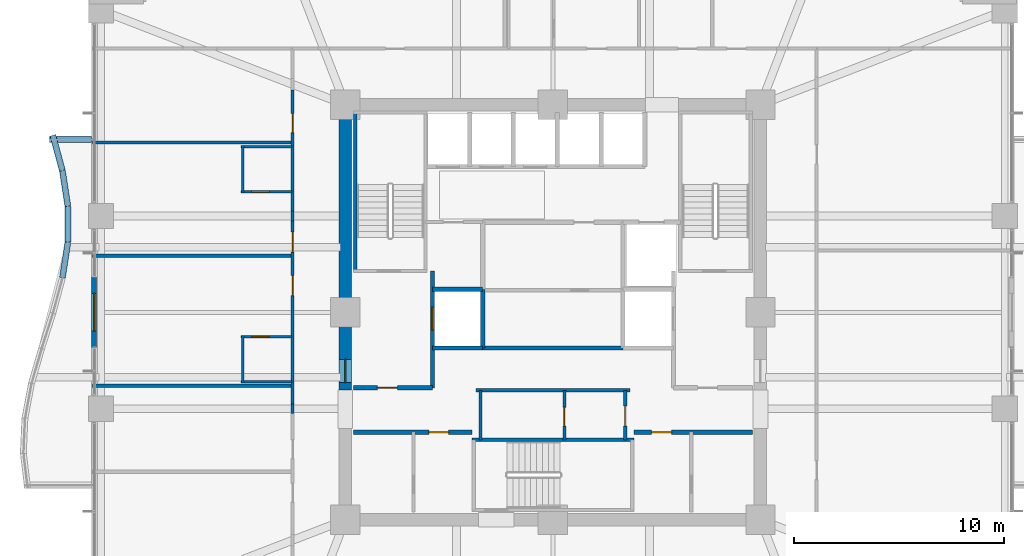
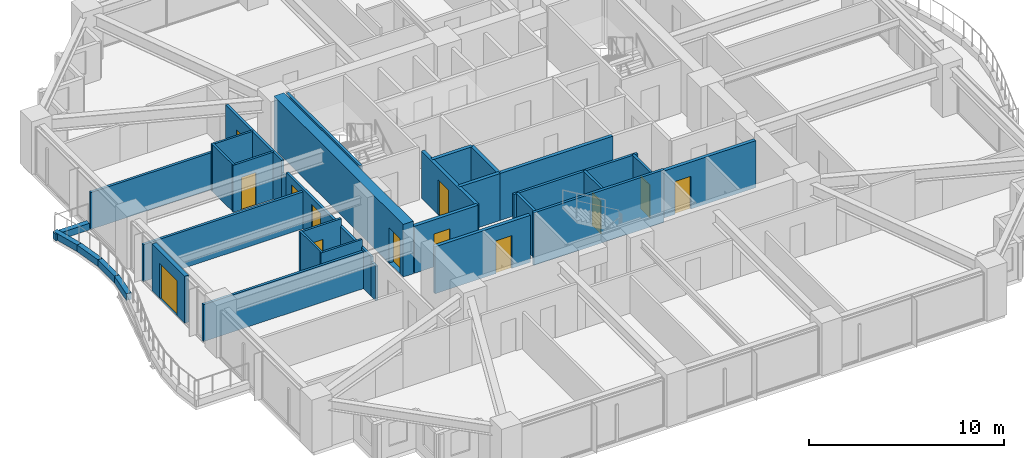
# One storey, part 33 of 38: 34 walls, 13 doors, 13 openings.
"""IFC4 building model written with IfcOpenShell, lengths in metres."""

from ifc_helpers import new_model, si_unit, direction, frame, frame_2d, origin, place, context, subcontext, project, spatial, rectangle, extrude, material, layer, layer_set, type_object, element, fill, save


model = new_model("IFC4")

# Units and contexts
model_context = context("Model", 3, precision=1e-05, world=origin(), true_north=direction((0.0, 1.0)))
body_context = subcontext(model_context, "Body", "Model", "MODEL_VIEW")
ifc_project = project(units=[si_unit("LENGTHUNIT", "METRE"), si_unit("AREAUNIT", "SQUARE_METRE"), si_unit("VOLUMEUNIT", "CUBIC_METRE"), si_unit("PLANEANGLEUNIT", "RADIAN"), si_unit("MASSUNIT", "GRAM", prefix="KILO")], contexts=[model_context])

# Site, building, storey
site_placement = place(None, origin())
site = spatial("IfcSite", under=ifc_project, at=site_placement, CompositionType="ELEMENT")
building_placement = place(site_placement, origin())
building = spatial("IfcBuilding", under=site, at=building_placement, Name="Kolvaren Belvedere", CompositionType="ELEMENT")
storey_placement = place(building_placement, frame((0.0, 0.0, 60.10009765625)))
storey = spatial("IfcBuildingStorey", under=building, at=storey_placement, Name="L17", CompositionType="ELEMENT", Elevation=60.10009765625)

# Wall, opening, door
ifc_material_1 = material(Name="Concrete C60/75", Category="concrete")
ifc_layer_1 = layer(ifc_material_1, 0.60009765625)
ifc_layer_set_1 = layer_set([ifc_layer_1], Name="Concrete C60/75")
wall_type_1 = type_object("IfcWallType", Name="CW-CORE-600", PredefinedType="SHEAR", material=ifc_layer_set_1)
wall_1_placement = place(storey_placement, frame((-9.89990234375, -3.699951171875, 0.0), z_axis=(0.0, 0.0, 1.0), x_axis=(0.0, 1.0, 0.0)))
wall_1 = element("IfcWall", 1, at=wall_1_placement, inside=storey, type_object=wall_type_1, Name="L17 West Core Shear Wall 2", PredefinedType="SHEAR", context=body_context, shape_type="SweptSolid", body=[
    extrude(rectangle(XDim=13.300048828125, YDim=0.60009765625, at=frame_2d((6.64990234375, 0.0))), origin(), (0.0, 0.0, 1.0), 3.2998046875),
])
opening_1_placement = place(wall_1_placement, frame((0.35009765625, 0.0, 0.0)))
opening_1 = element("IfcOpeningElement", 2, at=opening_1_placement, cuts=wall_1, Name="Opening D-FD90", PredefinedType="OPENING", context=body_context, shape_type="SweptSolid", body=[
    extrude(rectangle(XDim=1.10009765625, YDim=2.199951171875, at=frame_2d((0.550048828125, 1.10009765625))), frame((0.0, 0.31005859375, 0.0), z_axis=(0.0, -1.0, 0.0), x_axis=(1.0, 0.0, 0.0)), (0.0, 0.0, 1.0), 0.6201171875),
])
ifc_material_2 = material(Name="Painted hollow stainless steel", Category="steel")
door_type_1 = type_object("IfcDoorType", Name="DR-FD90-1100", OperationType="NOTDEFINED", PredefinedType="DOOR", material=ifc_material_2)
door_1_placement = place(opening_1_placement, origin())
door_1 = element("IfcDoor", 3, at=door_1_placement, inside=storey, type_object=door_type_1, Name="L17 West Firefighting Lobby Fire Door", OperationType="SINGLE_SWING_LEFT", OverallHeight=2.199951171875, OverallWidth=1.10009765625, PredefinedType="DOOR", context=body_context, shape_type="SweptSolid", body=[
    extrude(rectangle(XDim=1.10009765625, YDim=2.199951171875, at=frame_2d((0.550048828125, 1.10009765625))), frame((0.0, 0.02490234375, 0.0), z_axis=(0.0, -1.0, 0.0), x_axis=(1.0, 0.0, 0.0)), (0.0, 0.0, 1.0), 0.050048828125),
])
fill(opening_1, door_1)

# Walls
ifc_material_3 = material(Name="Concrete C50/60", Category="concrete")
ifc_layer_2 = layer(ifc_material_3, 0.159912109375)
ifc_layer_set_2 = layer_set([ifc_layer_2], Name="Concrete C50/60")
wall_type_2 = type_object("IfcWallType", Name="CW-STAIR-160", PredefinedType="SHEAR", material=ifc_layer_set_2)
wall_2_placement = place(storey_placement, frame((-9.429931640625, 1.969970703125, 0.0), z_axis=(0.0, 0.0, 1.0), x_axis=(0.0, 1.0, 0.0)))
element("IfcWall", 4, at=wall_2_placement, inside=storey, type_object=wall_type_2, Name="L17 Stair ST-1 West Shear Wall", PredefinedType="SHEAR", context=body_context, shape_type="SweptSolid", body=[
    extrude(rectangle(XDim=7.56005859375, YDim=0.159912109375, at=frame_2d((3.780029296875, 0.0))), origin(), (0.0, 0.0, 1.0), 3.2998046875),
])
wall_3_placement = place(storey_placement, frame((-3.860107421875, -6.080078125, 0.0), z_axis=(0.0, 0.0, 1.0), x_axis=(1.0, 0.0, 0.0)))
element("IfcWall", 5, at=wall_3_placement, inside=storey, type_object=wall_type_2, Name="L17 Stair ST-3 North Shear Wall", PredefinedType="SHEAR", context=body_context, shape_type="SweptSolid", body=[
    extrude(rectangle(XDim=7.72021484375, YDim=0.159912109375, at=frame_2d((3.860107421875, 0.0))), origin(), (0.0, 0.0, 1.0), 3.2998046875),
])
ifc_material_4 = material(Name="Gypsum fire-rated partition assembly", Category="gypsum")
ifc_layer_3 = layer(ifc_material_4, 0.14990234375)
ifc_layer_set_3 = layer_set([ifc_layer_3], Name="Gypsum fire-rated partition assembly")
wall_type_3 = type_object("IfcWallType", Name="WL-CORR-150", PredefinedType="PARTITIONING", material=ifc_layer_set_3)
wall_4_placement = place(storey_placement, frame((-12.419921875, -4.83251953125, 0.0), z_axis=(0.0, 0.0, 1.0), x_axis=(0.0, 1.0, 0.0)))
element("IfcWall", 6, at=wall_4_placement, inside=storey, type_object=wall_type_3, Name="L17 West Corridor Wall", PredefinedType="PARTITIONING", context=body_context, shape_type="SweptSolid", body=[
    extrude(rectangle(XDim=0.465087890625, YDim=0.14990234375, at=frame_2d((0.232421875, 0.0))), origin(), (0.0, 0.0, 1.0), 2.161865234375),
])

# Wall, openings, doors
wall_5_placement = place(storey_placement, frame((-12.419921875, -4.367431640625, 0.0), z_axis=(0.0, 0.0, 1.0), x_axis=(0.0, 1.0, 0.0)))
wall_5 = element("IfcWall", 7, at=wall_5_placement, inside=storey, type_object=wall_type_3, Name="L17 West Corridor Wall", PredefinedType="PARTITIONING", context=body_context, shape_type="SweptSolid", body=[
    extrude(rectangle(XDim=8.73486328125, YDim=0.14990234375, at=frame_2d((4.367431640625, 0.0))), origin(), (0.0, 0.0, 1.0), 2.474853515625),
])
opening_2_placement = place(wall_5_placement, frame((5.1669921875, 0.0, 0.0)))
opening_2 = element("IfcOpeningElement", 8, at=opening_2_placement, cuts=wall_5, Name="Opening D-FD60", PredefinedType="OPENING", context=body_context, shape_type="SweptSolid", body=[
    extrude(rectangle(XDim=0.949951171875, YDim=2.06005859375, at=frame_2d((0.47509765625, 1.030029296875))), frame((0.0, 0.0849609375, 0.0), z_axis=(0.0, -1.0, 0.0), x_axis=(1.0, 0.0, 0.0)), (0.0, 0.0, 1.0), 0.169921875),
])
opening_3_placement = place(wall_5_placement, frame((7.23681640625, 0.0, 0.0)))
opening_3 = element("IfcOpeningElement", 9, at=opening_3_placement, cuts=wall_5, Name="Opening D-FD60", PredefinedType="OPENING", context=body_context, shape_type="SweptSolid", body=[
    extrude(rectangle(XDim=0.949951171875, YDim=2.06005859375, at=frame_2d((0.47509765625, 1.030029296875))), frame((0.0, 0.0849609375, 0.0), z_axis=(0.0, -1.0, 0.0), x_axis=(1.0, 0.0, 0.0)), (0.0, 0.0, 1.0), 0.169921875),
])
ifc_material_5 = material(Name="Acoustic white-oak fire door leaf", Category="timber")
door_type_2 = type_object("IfcDoorType", Name="DR-FD60-950", OperationType="NOTDEFINED", PredefinedType="DOOR", material=ifc_material_5)
door_2_placement = place(opening_2_placement, origin())
door_2 = element("IfcDoor", 10, at=door_2_placement, inside=storey, type_object=door_type_2, Name="L17 Twin Guest Room 1709 Entry Door", OperationType="SINGLE_SWING_RIGHT", OverallHeight=2.06005859375, OverallWidth=0.949951171875, PredefinedType="DOOR", context=body_context, shape_type="SweptSolid", body=[
    extrude(rectangle(XDim=0.949951171875, YDim=2.06005859375, at=frame_2d((0.47509765625, 1.030029296875))), frame((0.0, 0.02490234375, 0.0), z_axis=(0.0, -1.0, 0.0), x_axis=(1.0, 0.0, 0.0)), (0.0, 0.0, 1.0), 0.050048828125),
])
fill(opening_2, door_2)
door_3_placement = place(opening_3_placement, origin())
door_3 = element("IfcDoor", 11, at=door_3_placement, inside=storey, type_object=door_type_2, Name="L17 Deluxe King Guest Room 1710 Entry Door", OperationType="SINGLE_SWING_RIGHT", OverallHeight=2.06005859375, OverallWidth=0.949951171875, PredefinedType="DOOR", context=body_context, shape_type="SweptSolid", body=[
    extrude(rectangle(XDim=0.949951171875, YDim=2.06005859375, at=frame_2d((0.47509765625, 1.030029296875))), frame((0.0, 0.02490234375, 0.0), z_axis=(0.0, -1.0, 0.0), x_axis=(1.0, 0.0, 0.0)), (0.0, 0.0, 1.0), 0.050048828125),
])
fill(opening_3, door_3)

# Wall
wall_6_placement = place(storey_placement, frame((-12.419921875, 4.367431640625, 0.0), z_axis=(0.0, 0.0, 1.0), x_axis=(0.0, 1.0, 0.0)))
element("IfcWall", 12, at=wall_6_placement, inside=storey, type_object=wall_type_3, Name="L17 West Corridor Wall", PredefinedType="PARTITIONING", context=body_context, shape_type="SweptSolid", body=[
    extrude(rectangle(XDim=0.465087890625, YDim=0.14990234375, at=frame_2d((0.232421875, 0.0))), origin(), (0.0, 0.0, 1.0), 2.161865234375),
])

# Wall, opening, door
wall_7_placement = place(storey_placement, frame((-12.419921875, 4.83251953125, 0.0), z_axis=(0.0, 0.0, 1.0), x_axis=(0.0, 1.0, 0.0)))
wall_7 = element("IfcWall", 13, at=wall_7_placement, inside=storey, type_object=wall_type_3, Name="L17 West Corridor Wall", PredefinedType="PARTITIONING", context=body_context, shape_type="SweptSolid", body=[
    extrude(rectangle(XDim=5.76025390625, YDim=0.14990234375, at=frame_2d((2.880126953125, 0.0))), origin(), (0.0, 0.0, 1.0), 2.949951171875),
])
opening_4_placement = place(wall_7_placement, frame((3.7431640625, 0.0, 0.0)))
opening_4 = element("IfcOpeningElement", 14, at=opening_4_placement, cuts=wall_7, Name="Opening D-INT90", PredefinedType="OPENING", context=body_context, shape_type="SweptSolid", body=[
    extrude(rectangle(XDim=0.89990234375, YDim=2.06005859375, at=frame_2d((0.449951171875, 1.030029296875))), frame((0.0, 0.0849609375, 0.0), z_axis=(0.0, -1.0, 0.0), x_axis=(1.0, 0.0, 0.0)), (0.0, 0.0, 1.0), 0.169921875),
])
ifc_material_6 = material(Name="Stained Pacific white oak", Category="timber")
door_type_3 = type_object("IfcDoorType", Name="DR-INT-900", OperationType="NOTDEFINED", PredefinedType="DOOR", material=ifc_material_6)
door_4_placement = place(opening_4_placement, origin())
door_4 = element("IfcDoor", 15, at=door_4_placement, inside=storey, type_object=door_type_3, Name="L17 Lounge 1711 Door", OperationType="SINGLE_SWING_LEFT", OverallHeight=2.06005859375, OverallWidth=0.89990234375, PredefinedType="DOOR", context=body_context, shape_type="SweptSolid", body=[
    extrude(rectangle(XDim=0.89990234375, YDim=2.06005859375, at=frame_2d((0.449951171875, 1.030029296875))), frame((0.0, 0.02490234375, 0.0), z_axis=(0.0, -1.0, 0.0), x_axis=(1.0, 0.0, 0.0)), (0.0, 0.0, 1.0), 0.050048828125),
])
fill(opening_4, door_4)

ifc_material_7 = material(Name="Insulated pale-metal facade wall assembly", Category="aluminium")
ifc_layer_4 = layer(ifc_material_7, 0.239990234375)
ifc_layer_set_4 = layer_set([ifc_layer_4], Name="Insulated pale-metal facade wall assembly")
wall_type_4 = type_object("IfcWallType", Name="WL-EXT-240", PredefinedType="STANDARD", material=ifc_layer_set_4)
wall_8_placement = place(storey_placement, frame((-21.8798828125, -1.679931640625, 0.0), z_axis=(0.0, 0.0, 1.0), x_axis=(0.0, 1.0, 0.0)))
wall_8 = element("IfcWall", 16, at=wall_8_placement, inside=storey, type_object=wall_type_4, Name="L17 West Terrace Portal Wall", PredefinedType="STANDARD", context=body_context, shape_type="SweptSolid", body=[
    extrude(rectangle(XDim=3.35986328125, YDim=0.239990234375, at=frame_2d((1.679931640625, 0.0))), origin(), (0.0, 0.0, 1.0), 2.949951171875),
])
opening_5_placement = place(wall_8_placement, frame((0.780029296875, 0.0, 0.0)))
opening_5 = element("IfcOpeningElement", 17, at=opening_5_placement, cuts=wall_8, Name="Opening DB-1800", PredefinedType="OPENING", context=body_context, shape_type="SweptSolid", body=[
    extrude(rectangle(XDim=1.800048828125, YDim=2.199951171875, at=frame_2d((0.89990234375, 1.10009765625))), frame((0.0, 0.1298828125, 0.0), z_axis=(0.0, -1.0, 0.0), x_axis=(1.0, 0.0, 0.0)), (0.0, 0.0, 1.0), 0.260009765625),
])
ifc_material_8 = material(Name="Thermally broken pale-metal aluminium & low-iron glass", Category="aluminium")
door_type_4 = type_object("IfcDoorType", Name="DR-BAL-1800", OperationType="DOUBLE_DOOR_SLIDING", PredefinedType="DOOR", material=ifc_material_8)
door_5_placement = place(opening_5_placement, origin())
door_5 = element("IfcDoor", 18, at=door_5_placement, inside=storey, type_object=door_type_4, Name="L17 West Planted Terrace Sliding Door", OperationType="DOUBLE_DOOR_SLIDING", OverallHeight=2.199951171875, OverallWidth=1.800048828125, PredefinedType="DOOR", context=body_context, shape_type="SweptSolid", body=[
    extrude(rectangle(XDim=1.800048828125, YDim=2.199951171875, at=frame_2d((0.89990234375, 1.10009765625))), frame((0.0, 0.02490234375, 0.0), z_axis=(0.0, -1.0, 0.0), x_axis=(1.0, 0.0, 0.0)), (0.0, 0.0, 1.0), 0.050048828125),
])
fill(opening_5, door_5)

# Wall
ifc_material_9 = material(Name="Gypsum acoustic partition assembly", Category="gypsum")
ifc_layer_5 = layer(ifc_material_9, 0.14990234375)
ifc_layer_set_5 = layer_set([ifc_layer_5], Name="Gypsum acoustic partition assembly")
wall_type_5 = type_object("IfcWallType", Name="WL-PART-150", PredefinedType="PARTITIONING", material=ifc_layer_set_5)
wall_9_placement = place(storey_placement, frame((-3.679931640625, -3.719970703125, 0.0), z_axis=(0.0, 0.0, 1.0), x_axis=(1.0, 0.0, 0.0)))
element("IfcWall", 19, at=wall_9_placement, inside=storey, type_object=wall_type_5, Name="L17 South Core Service North Wall", PredefinedType="PARTITIONING", context=body_context, shape_type="SweptSolid", body=[
    extrude(rectangle(XDim=7.35986328125, YDim=0.14990234375, at=frame_2d((3.679931640625, 0.0))), origin(), (0.0, 0.0, 1.0), 2.949951171875),
])

# Wall, opening, door
wall_10_placement = place(storey_placement, frame((3.449951171875, -6.080078125, 0.0), z_axis=(0.0, 0.0, 1.0), x_axis=(0.0, 1.0, 0.0)))
wall_10 = element("IfcWall", 20, at=wall_10_placement, inside=storey, type_object=wall_type_5, Name="L17 South Core Service East Wall", PredefinedType="PARTITIONING", context=body_context, shape_type="SweptSolid", body=[
    extrude(rectangle(XDim=2.360107421875, YDim=0.14990234375, at=frame_2d((1.18017578125, 0.0))), origin(), (0.0, 0.0, 1.0), 2.949951171875),
])
opening_6_placement = place(wall_10_placement, frame((0.64990234375, 0.0, 0.0)))
opening_6 = element("IfcOpeningElement", 21, at=opening_6_placement, cuts=wall_10, Name="Opening D-FD60", PredefinedType="OPENING", context=body_context, shape_type="SweptSolid", body=[
    extrude(rectangle(XDim=0.949951171875, YDim=2.06005859375, at=frame_2d((0.47509765625, 1.030029296875))), frame((0.0, 0.0849609375, 0.0), z_axis=(0.0, -1.0, 0.0), x_axis=(1.0, 0.0, 0.0)), (0.0, 0.0, 1.0), 0.169921875),
])
door_6_placement = place(opening_6_placement, origin())
door_6 = element("IfcDoor", 22, at=door_6_placement, inside=storey, type_object=door_type_2, Name="L17 Core Service Room Door", OperationType="SINGLE_SWING_LEFT", OverallHeight=2.06005859375, OverallWidth=0.949951171875, PredefinedType="DOOR", context=body_context, shape_type="SweptSolid", body=[
    extrude(rectangle(XDim=0.949951171875, YDim=2.06005859375, at=frame_2d((0.47509765625, 1.030029296875))), frame((0.0, 0.02490234375, 0.0), z_axis=(0.0, -1.0, 0.0), x_axis=(1.0, 0.0, 0.0)), (0.0, 0.0, 1.0), 0.050048828125),
])
fill(opening_6, door_6)

# Wall
wall_11_placement = place(storey_placement, frame((-3.449951171875, -6.080078125, 0.0), z_axis=(0.0, 0.0, 1.0), x_axis=(0.0, 1.0, 0.0)))
element("IfcWall", 23, at=wall_11_placement, inside=storey, type_object=wall_type_5, Name="L17 South Core Service West Wall", PredefinedType="PARTITIONING", context=body_context, shape_type="SweptSolid", body=[
    extrude(rectangle(XDim=2.360107421875, YDim=0.14990234375, at=frame_2d((1.18017578125, 0.0))), origin(), (0.0, 0.0, 1.0), 2.949951171875),
])

# Wall, opening, door
wall_12_placement = place(storey_placement, frame((0.550048828125, -6.080078125, 0.0), z_axis=(0.0, 0.0, 1.0), x_axis=(0.0, 1.0, 0.0)))
wall_12 = element("IfcWall", 24, at=wall_12_placement, inside=storey, type_object=wall_type_5, Name="L17 Core Service Divider", PredefinedType="PARTITIONING", context=body_context, shape_type="SweptSolid", body=[
    extrude(rectangle(XDim=2.360107421875, YDim=0.14990234375, at=frame_2d((1.18017578125, 0.0))), origin(), (0.0, 0.0, 1.0), 2.949951171875),
])
opening_7_placement = place(wall_12_placement, frame((0.64990234375, 0.0, 0.0)))
opening_7 = element("IfcOpeningElement", 25, at=opening_7_placement, cuts=wall_12, Name="Opening D-INT90", PredefinedType="OPENING", context=body_context, shape_type="SweptSolid", body=[
    extrude(rectangle(XDim=0.89990234375, YDim=2.06005859375, at=frame_2d((0.449951171875, 1.030029296875))), frame((0.0, 0.0849609375, 0.0), z_axis=(0.0, -1.0, 0.0), x_axis=(1.0, 0.0, 0.0)), (0.0, 0.0, 1.0), 0.169921875),
])
door_7_placement = place(opening_7_placement, origin())
door_7 = element("IfcDoor", 26, at=door_7_placement, inside=storey, type_object=door_type_3, Name="L17 BMS Inner Door", OperationType="SINGLE_SWING_LEFT", OverallHeight=2.06005859375, OverallWidth=0.89990234375, PredefinedType="DOOR", context=body_context, shape_type="SweptSolid", body=[
    extrude(rectangle(XDim=0.89990234375, YDim=2.06005859375, at=frame_2d((0.449951171875, 1.030029296875))), frame((0.0, 0.02490234375, 0.0), z_axis=(0.0, -1.0, 0.0), x_axis=(1.0, 0.0, 0.0)), (0.0, 0.0, 1.0), 0.050048828125),
])
fill(opening_7, door_7)

# Walls
for number, where, z_axis, x_axis, name in (
    (27, (-21.97998046875, -3.50390625, 0.0), (0.0, 0.0, 1.0), (1.0, 0.0, 0.0), "L17 West Suite Demising Wall 2"),
    (28, (-21.97998046875, 2.696044921875, 0.0), (0.0, 0.0, 1.0), (1.0, 0.0, 0.0), "L17 West Suite Demising Wall 3"),
    (29, (-21.97998046875, 8.095947265625, 0.0), (0.0, 0.0, 1.0), (1.0, 0.0, 0.0), "L17 West Suite Demising Wall 4"),
):
    element("IfcWall", number, at=place(storey_placement, frame(where, z_axis=z_axis, x_axis=x_axis)), inside=storey, type_object=wall_type_5, Name=name, PredefinedType="PARTITIONING", context=body_context, shape_type="SweptSolid", body=[
        extrude(rectangle(XDim=9.56005859375, YDim=0.14990234375, at=frame_2d((4.780029296875, 0.0))), origin(), (0.0, 0.0, 1.0), 2.31884765625),
    ])
ifc_material_10 = material(Name="Precast concrete C40/50", Category="concrete")
ifc_layer_6 = layer(ifc_material_10, 0.300048828125)
ifc_layer_set_6 = layer_set([ifc_layer_6], Name="Precast concrete C40/50")
wall_type_6 = type_object("IfcWallType", Name="WL-PLANTER-300", PredefinedType="PARAPET", material=ifc_layer_set_6)
wall_13_placement = place(storey_placement, frame((-23.851806640625, 8.441650390625, -0.06005859375), z_axis=(0.0, 0.0, 1.0), x_axis=(0.260682852326, -0.965424492388, 0.0)))
element("IfcWall", 30, at=wall_13_placement, inside=storey, type_object=wall_type_6, Name="L17 Precast Structural Planter Wall BAL-W-1", PredefinedType="PARAPET", context=body_context, shape_type="SweptSolid", body=[
    extrude(rectangle(XDim=1.739990234375, YDim=0.280029296875, at=frame_2d((0.8701171875, 0.0))), origin(), (0.0, 0.0, 1.0), 0.419921875),
])
wall_14_placement = place(storey_placement, frame((-23.39453125, 6.744384765625, -0.06005859375), z_axis=(0.0, 0.0, 1.0), x_axis=(0.152251460091, -0.988341789514, 0.0)))
element("IfcWall", 31, at=wall_14_placement, inside=storey, type_object=wall_type_6, Name="L17 Precast Structural Planter Wall BAL-W-2", PredefinedType="PARAPET", context=body_context, shape_type="SweptSolid", body=[
    extrude(rectangle(XDim=1.69970703125, YDim=0.280029296875, at=frame_2d((0.849853515625, 0.0))), origin(), (0.0, 0.0, 1.0), 0.419921875),
])
wall_15_placement = place(storey_placement, frame((-23.1337890625, 5.0400390625, -0.06005859375), z_axis=(0.0, 0.0, 1.0), x_axis=(0.0, -1.0, 0.0)))
element("IfcWall", 32, at=wall_15_placement, inside=storey, type_object=wall_type_6, Name="L17 Precast Structural Planter Wall BAL-W-3", PredefinedType="PARAPET", context=body_context, shape_type="SweptSolid", body=[
    extrude(rectangle(XDim=1.679931640625, YDim=0.280029296875, at=frame_2d((0.83984375, 0.0))), origin(), (0.0, 0.0, 1.0), 0.419921875),
])
wall_16_placement = place(storey_placement, frame((-23.1357421875, 3.335693359375, -0.06005859375), z_axis=(0.0, 0.0, 1.0), x_axis=(-0.152229849666, -0.988345118302, 0.0)))
element("IfcWall", 33, at=wall_16_placement, inside=storey, type_object=wall_type_6, Name="L17 Precast Structural Planter Wall BAL-W-4", PredefinedType="PARAPET", context=body_context, shape_type="SweptSolid", body=[
    extrude(rectangle(XDim=1.699951171875, YDim=0.280029296875, at=frame_2d((0.85009765625, 0.0))), origin(), (0.0, 0.0, 1.0), 0.419921875),
])
wall_17_placement = place(storey_placement, frame((-22.0, 8.239990234375, -0.06005859375), z_axis=(0.0, 0.0, 1.0), x_axis=(-1.0, 0.0, 0.0)))
element("IfcWall", 34, at=wall_17_placement, inside=storey, type_object=wall_type_6, Name="L17 Precast Structural Planter Wall BAL-W-22", PredefinedType="PARAPET", context=body_context, shape_type="SweptSolid", body=[
    extrude(rectangle(XDim=2.00634765625, YDim=0.280029296875, at=frame_2d((1.003173828125, 0.0))), origin(), (0.0, 0.0, 1.0), 0.419921875),
])

# Wall, opening, door
ifc_material_11 = material(Name="Concrete C50/60", Category="concrete")
ifc_layer_7 = layer(ifc_material_11, 0.199951171875)
ifc_layer_set_7 = layer_set([ifc_layer_7], Name="Concrete C50/60")
wall_type_7 = type_object("IfcWallType", Name="WL-SHAFT-200", PredefinedType="SOLIDWALL", material=ifc_layer_set_7)
wall_18_placement = place(storey_placement, frame((-9.52001953125, -3.60009765625, 0.0), z_axis=(0.0, 0.0, 1.0), x_axis=(1.0, 0.0, 0.0)))
wall_18 = element("IfcWall", 35, at=wall_18_placement, inside=storey, type_object=wall_type_7, Name="L17 West FSAE Lobby South Wall", PredefinedType="SOLIDWALL", context=body_context, shape_type="SweptSolid", body=[
    extrude(rectangle(XDim=3.77001953125, YDim=0.199951171875, at=frame_2d((1.885009765625, 0.0))), origin(), (0.0, 0.0, 1.0), 2.949951171875),
])
opening_8_placement = place(wall_18_placement, frame((1.14990234375, 0.0, 0.0)))
opening_8 = element("IfcOpeningElement", 36, at=opening_8_placement, cuts=wall_18, Name="Opening D-FD60", PredefinedType="OPENING", context=body_context, shape_type="SweptSolid", body=[
    extrude(rectangle(XDim=0.949951171875, YDim=2.06005859375, at=frame_2d((0.47509765625, 1.030029296875))), frame((0.0, 0.10986328125, 0.0), z_axis=(0.0, -1.0, 0.0), x_axis=(1.0, 0.0, 0.0)), (0.0, 0.0, 1.0), 0.219970703125),
])
door_8_placement = place(opening_8_placement, origin())
door_8 = element("IfcDoor", 37, at=door_8_placement, inside=storey, type_object=door_type_2, Name="L17 SW Lift Lobby Fire Door", OperationType="SINGLE_SWING_LEFT", OverallHeight=2.06005859375, OverallWidth=0.949951171875, PredefinedType="DOOR", context=body_context, shape_type="SweptSolid", body=[
    extrude(rectangle(XDim=0.949951171875, YDim=2.06005859375, at=frame_2d((0.47509765625, 1.030029296875))), frame((0.0, 0.02490234375, 0.0), z_axis=(0.0, -1.0, 0.0), x_axis=(1.0, 0.0, 0.0)), (0.0, 0.0, 1.0), 0.050048828125),
])
fill(opening_8, door_8)

wall_19_placement = place(storey_placement, frame((-5.75, -3.60009765625, 0.0), z_axis=(0.0, 0.0, 1.0), x_axis=(0.0, 1.0, 0.0)))
wall_19 = element("IfcWall", 38, at=wall_19_placement, inside=storey, type_object=wall_type_7, Name="L17 FSAE FS1 Landing Wall", PredefinedType="SOLIDWALL", context=body_context, shape_type="SweptSolid", body=[
    extrude(rectangle(XDim=5.570068359375, YDim=0.199951171875, at=frame_2d((2.78515625, 0.0))), origin(), (0.0, 0.0, 1.0), 2.949951171875),
])
opening_9_placement = place(wall_19_placement, frame((2.75, 0.0, 0.0)))
opening_9 = element("IfcOpeningElement", 39, at=opening_9_placement, cuts=wall_19, Name="Opening LD-11", PredefinedType="OPENING", context=body_context, shape_type="SweptSolid", body=[
    extrude(rectangle(XDim=1.10009765625, YDim=2.199951171875, at=frame_2d((0.550048828125, 1.10009765625))), frame((0.0, 0.10986328125, 0.0), z_axis=(0.0, -1.0, 0.0), x_axis=(1.0, 0.0, 0.0)), (0.0, 0.0, 1.0), 0.219970703125),
])
ifc_material_12 = material(Name="Brushed stainless steel", Category="steel")
door_type_5 = type_object("IfcDoorType", Name="DR-LIFT-1100", OperationType="DOUBLE_DOOR_SLIDING", PredefinedType="DOOR", material=ifc_material_12)
door_9_placement = place(opening_9_placement, origin())
door_9 = element("IfcDoor", 40, at=door_9_placement, inside=storey, type_object=door_type_5, Name="L17 Firefighting Lift FS1 Landing Door", OperationType="DOUBLE_DOOR_SLIDING", OverallHeight=2.199951171875, OverallWidth=1.10009765625, PredefinedType="DOOR", context=body_context, shape_type="SweptSolid", body=[
    extrude(rectangle(XDim=1.10009765625, YDim=2.199951171875, at=frame_2d((0.550048828125, 1.10009765625))), frame((0.0, 0.02490234375, 0.0), z_axis=(0.0, -1.0, 0.0), x_axis=(1.0, 0.0, 0.0)), (0.0, 0.0, 1.0), 0.050048828125),
])
fill(opening_9, door_9)

# Walls
wall_20_placement = place(storey_placement, frame((-3.35009765625, -1.699951171875, 0.0), z_axis=(0.0, 0.0, 1.0), x_axis=(0.0, 1.0, 0.0)))
element("IfcWall", 41, at=wall_20_placement, inside=storey, type_object=wall_type_7, Name="L17 FSAE FS1 Back Wall", PredefinedType="SOLIDWALL", context=body_context, shape_type="SweptSolid", body=[
    extrude(rectangle(XDim=2.800048828125, YDim=0.199951171875, at=frame_2d((1.39990234375, 0.0))), origin(), (0.0, 0.0, 1.0), 2.949951171875),
])
for number, where, z_axis, x_axis, name in (
    (42, (-5.75, -1.699951171875, 0.0), (0.0, 0.0, 1.0), (1.0, 0.0, 0.0), "L17 FSAE FS1 South Wall"),
    (43, (-5.75, 1.10009765625, 0.0), (0.0, 0.0, 1.0), (1.0, 0.0, 0.0), "L17 FSAE FS1 North Wall"),
):
    element("IfcWall", number, at=place(storey_placement, frame(where, z_axis=z_axis, x_axis=x_axis)), inside=storey, type_object=wall_type_7, Name=name, PredefinedType="SOLIDWALL", context=body_context, shape_type="SweptSolid", body=[
        extrude(rectangle(XDim=2.39990234375, YDim=0.199951171875, at=frame_2d((1.199951171875, 0.0))), origin(), (0.0, 0.0, 1.0), 2.949951171875),
    ])

# Wall, opening, door
wall_21_placement = place(storey_placement, frame((-9.52001953125, -5.719970703125, 0.0), z_axis=(0.0, 0.0, 1.0), x_axis=(1.0, 0.0, 0.0)))
wall_21 = element("IfcWall", 44, at=wall_21_placement, inside=storey, type_object=wall_type_7, Name="L17 SW Core Reserve Wall", PredefinedType="SOLIDWALL", context=body_context, shape_type="SweptSolid", body=[
    extrude(rectangle(XDim=5.659912109375, YDim=0.199951171875, at=frame_2d((2.830078125, 0.0))), origin(), (0.0, 0.0, 1.0), 2.949951171875),
])
opening_10_placement = place(wall_21_placement, frame((3.60009765625, 0.0, 0.0)))
opening_10 = element("IfcOpeningElement", 45, at=opening_10_placement, cuts=wall_21, Name="Opening D-FD60", PredefinedType="OPENING", context=body_context, shape_type="SweptSolid", body=[
    extrude(rectangle(XDim=0.949951171875, YDim=2.06005859375, at=frame_2d((0.47509765625, 1.030029296875))), frame((0.0, 0.10986328125, 0.0), z_axis=(0.0, -1.0, 0.0), x_axis=(1.0, 0.0, 0.0)), (0.0, 0.0, 1.0), 0.219970703125),
])
door_10_placement = place(opening_10_placement, origin())
door_10 = element("IfcDoor", 46, at=door_10_placement, inside=storey, type_object=door_type_2, Name="L17 SW Supply Door", OperationType="SINGLE_SWING_LEFT", OverallHeight=2.06005859375, OverallWidth=0.949951171875, PredefinedType="DOOR", context=body_context, shape_type="SweptSolid", body=[
    extrude(rectangle(XDim=0.949951171875, YDim=2.06005859375, at=frame_2d((0.47509765625, 1.030029296875))), frame((0.0, 0.02490234375, 0.0), z_axis=(0.0, -1.0, 0.0), x_axis=(1.0, 0.0, 0.0)), (0.0, 0.0, 1.0), 0.050048828125),
])
fill(opening_10, door_10)

wall_22_placement = place(storey_placement, frame((3.860107421875, -5.719970703125, 0.0), z_axis=(0.0, 0.0, 1.0), x_axis=(1.0, 0.0, 0.0)))
wall_22 = element("IfcWall", 47, at=wall_22_placement, inside=storey, type_object=wall_type_7, Name="L17 SE Core Distribution Wall", PredefinedType="SOLIDWALL", context=body_context, shape_type="SweptSolid", body=[
    extrude(rectangle(XDim=5.659912109375, YDim=0.199951171875, at=frame_2d((2.830078125, 0.0))), origin(), (0.0, 0.0, 1.0), 2.949951171875),
])
opening_11_placement = place(wall_22_placement, frame((0.85009765625, 0.0, 0.0)))
opening_11 = element("IfcOpeningElement", 48, at=opening_11_placement, cuts=wall_22, Name="Opening D-FD60", PredefinedType="OPENING", context=body_context, shape_type="SweptSolid", body=[
    extrude(rectangle(XDim=0.949951171875, YDim=2.06005859375, at=frame_2d((0.47509765625, 1.030029296875))), frame((0.0, 0.10986328125, 0.0), z_axis=(0.0, -1.0, 0.0), x_axis=(1.0, 0.0, 0.0)), (0.0, 0.0, 1.0), 0.219970703125),
])
door_11_placement = place(opening_11_placement, origin())
door_11 = element("IfcDoor", 49, at=door_11_placement, inside=storey, type_object=door_type_2, Name="L17 SE Telecom Door", OperationType="SINGLE_SWING_RIGHT", OverallHeight=2.06005859375, OverallWidth=0.949951171875, PredefinedType="DOOR", context=body_context, shape_type="SweptSolid", body=[
    extrude(rectangle(XDim=0.949951171875, YDim=2.06005859375, at=frame_2d((0.47509765625, 1.030029296875))), frame((0.0, 0.02490234375, 0.0), z_axis=(0.0, -1.0, 0.0), x_axis=(1.0, 0.0, 0.0)), (0.0, 0.0, 1.0), 0.050048828125),
])
fill(opening_11, door_11)

# Wall
wall_23_placement = place(storey_placement, frame((-3.35009765625, -1.699951171875, 0.0), z_axis=(0.0, 0.0, 1.0), x_axis=(1.0, 0.0, 0.0)))
element("IfcWall", 50, at=wall_23_placement, inside=storey, type_object=wall_type_7, Name="L17 Central Core Room South Wall", PredefinedType="SOLIDWALL", context=body_context, shape_type="SweptSolid", body=[
    extrude(rectangle(XDim=6.7001953125, YDim=0.199951171875, at=frame_2d((3.35009765625, 0.0))), origin(), (0.0, 0.0, 1.0), 2.949951171875),
])

# Wall, opening, door
ifc_material_13 = material(Name="Moisture-resistant gypsum partition", Category="gypsum")
ifc_layer_8 = layer(ifc_material_13, 0.125)
ifc_layer_set_8 = layer_set([ifc_layer_8], Name="Moisture-resistant gypsum partition")
wall_type_8 = type_object("IfcWallType", Name="WL-WET-125", PredefinedType="PARTITIONING", material=ifc_layer_set_8)
wall_24_placement = place(storey_placement, frame((-14.875, -1.158935546875, 0.0), z_axis=(0.0, 0.0, 1.0), x_axis=(1.0, 0.0, 0.0)))
wall_24 = element("IfcWall", 51, at=wall_24_placement, inside=storey, type_object=wall_type_8, Name="L17 Bathroom Partition PW-L17-BTH-9-N", PredefinedType="PARTITIONING", context=body_context, shape_type="SweptSolid", body=[
    extrude(rectangle(XDim=2.43994140625, YDim=0.125, at=frame_2d((1.219970703125, 0.0))), origin(), (0.0, 0.0, 1.0), 2.949951171875),
])
opening_12_placement = place(wall_24_placement, frame((0.5, 0.0, 0.0)))
opening_12 = element("IfcOpeningElement", 52, at=opening_12_placement, cuts=wall_24, Name="Opening D-BTH85", PredefinedType="OPENING", context=body_context, shape_type="SweptSolid", body=[
    extrude(rectangle(XDim=0.85009765625, YDim=2.030029296875, at=frame_2d((0.425048828125, 1.01513671875))), frame((0.0, 0.072509765625, 0.0), z_axis=(0.0, -1.0, 0.0), x_axis=(1.0, 0.0, 0.0)), (0.0, 0.0, 1.0), 0.14501953125),
])
ifc_material_14 = material(Name="Moisture-sealed Pacific white oak", Category="timber")
door_type_6 = type_object("IfcDoorType", Name="DR-BATH-850", OperationType="NOTDEFINED", PredefinedType="DOOR", material=ifc_material_14)
door_12_placement = place(opening_12_placement, origin())
door_12 = element("IfcDoor", 53, at=door_12_placement, inside=storey, type_object=door_type_6, Name="L17 En-Suite Bathroom 1709 Door", OperationType="SINGLE_SWING_LEFT", OverallHeight=2.030029296875, OverallWidth=0.85009765625, PredefinedType="DOOR", context=body_context, shape_type="SweptSolid", body=[
    extrude(rectangle(XDim=0.85009765625, YDim=2.030029296875, at=frame_2d((0.425048828125, 1.01513671875))), frame((0.0, 0.02490234375, 0.0), z_axis=(0.0, -1.0, 0.0), x_axis=(1.0, 0.0, 0.0)), (0.0, 0.0, 1.0), 0.050048828125),
])
fill(opening_12, door_12)

# Walls
wall_25_placement = place(storey_placement, frame((-14.794921875, -3.368896484375, 0.0), z_axis=(0.0, 0.0, 1.0), x_axis=(0.0, 1.0, 0.0)))
element("IfcWall", 54, at=wall_25_placement, inside=storey, type_object=wall_type_8, Name="L17 Bathroom Partition PW-L17-BTH-9-V", PredefinedType="PARTITIONING", context=body_context, shape_type="SweptSolid", body=[
    extrude(rectangle(XDim=2.269775390625, YDim=0.125, at=frame_2d((1.134765625, 0.0))), origin(), (0.0, 0.0, 1.0), 2.949951171875),
])
wall_26_placement = place(storey_placement, frame((-14.875, -3.30908203125, 0.0), z_axis=(0.0, 0.0, 1.0), x_axis=(1.0, 0.0, 0.0)))
element("IfcWall", 55, at=wall_26_placement, inside=storey, type_object=wall_type_8, Name="L17 Bathroom Partition PW-L17-BTH-9-S", PredefinedType="PARTITIONING", context=body_context, shape_type="SweptSolid", body=[
    extrude(rectangle(XDim=2.43994140625, YDim=0.125, at=frame_2d((1.219970703125, 0.0))), origin(), (0.0, 0.0, 1.0), 2.949951171875),
])

# Wall, opening, door
wall_27_placement = place(storey_placement, frame((-14.875, 5.7509765625, 0.0), z_axis=(0.0, 0.0, 1.0), x_axis=(1.0, 0.0, 0.0)))
wall_27 = element("IfcWall", 56, at=wall_27_placement, inside=storey, type_object=wall_type_8, Name="L17 Bathroom Partition PW-L17-BTH-10-N", PredefinedType="PARTITIONING", context=body_context, shape_type="SweptSolid", body=[
    extrude(rectangle(XDim=2.43994140625, YDim=0.125, at=frame_2d((1.219970703125, 0.0))), origin(), (0.0, 0.0, 1.0), 2.949951171875),
])
opening_13_placement = place(wall_27_placement, frame((0.5, 0.0, 0.0)))
opening_13 = element("IfcOpeningElement", 57, at=opening_13_placement, cuts=wall_27, Name="Opening D-BTH85", PredefinedType="OPENING", context=body_context, shape_type="SweptSolid", body=[
    extrude(rectangle(XDim=0.85009765625, YDim=2.030029296875, at=frame_2d((0.425048828125, 1.01513671875))), frame((0.0, 0.072509765625, 0.0), z_axis=(0.0, -1.0, 0.0), x_axis=(1.0, 0.0, 0.0)), (0.0, 0.0, 1.0), 0.14501953125),
])
door_13_placement = place(opening_13_placement, origin())
door_13 = element("IfcDoor", 58, at=door_13_placement, inside=storey, type_object=door_type_6, Name="L17 En-Suite Bathroom 1710 Door", OperationType="SINGLE_SWING_LEFT", OverallHeight=2.030029296875, OverallWidth=0.85009765625, PredefinedType="DOOR", context=body_context, shape_type="SweptSolid", body=[
    extrude(rectangle(XDim=0.85009765625, YDim=2.030029296875, at=frame_2d((0.425048828125, 1.01513671875))), frame((0.0, 0.02490234375, 0.0), z_axis=(0.0, -1.0, 0.0), x_axis=(1.0, 0.0, 0.0)), (0.0, 0.0, 1.0), 0.050048828125),
])
fill(opening_13, door_13)

# Walls
wall_28_placement = place(storey_placement, frame((-14.794921875, 5.69091796875, 0.0), z_axis=(0.0, 0.0, 1.0), x_axis=(0.0, 1.0, 0.0)))
element("IfcWall", 59, at=wall_28_placement, inside=storey, type_object=wall_type_8, Name="L17 Bathroom Partition PW-L17-BTH-10-V", PredefinedType="PARTITIONING", context=body_context, shape_type="SweptSolid", body=[
    extrude(rectangle(XDim=2.27001953125, YDim=0.125, at=frame_2d((1.135009765625, 0.0))), origin(), (0.0, 0.0, 1.0), 2.949951171875),
])
wall_29_placement = place(storey_placement, frame((-14.875, 7.90087890625, 0.0), z_axis=(0.0, 0.0, 1.0), x_axis=(1.0, 0.0, 0.0)))
element("IfcWall", 60, at=wall_29_placement, inside=storey, type_object=wall_type_8, Name="L17 Bathroom Partition PW-L17-BTH-10-S", PredefinedType="PARTITIONING", context=body_context, shape_type="SweptSolid", body=[
    extrude(rectangle(XDim=2.43994140625, YDim=0.125, at=frame_2d((1.219970703125, 0.0))), origin(), (0.0, 0.0, 1.0), 2.949951171875),
])

save(model, "model.ifc")
